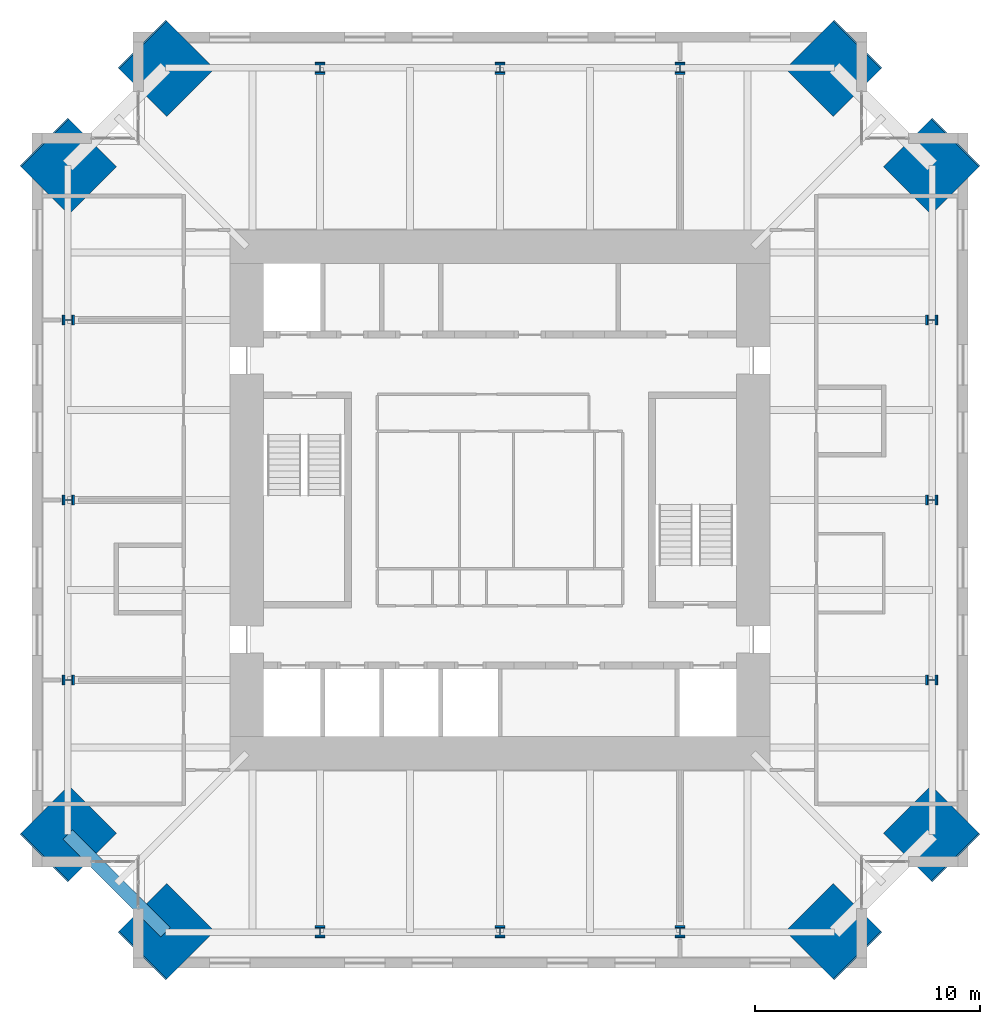
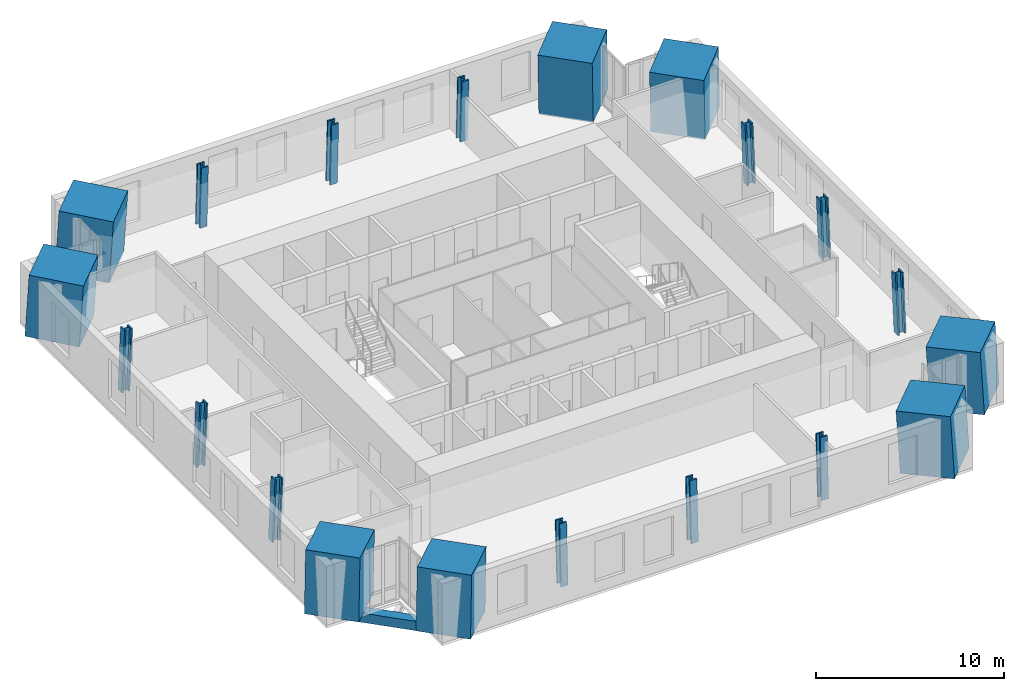
# One storey, part 1 of 15: 20 columns, 1 beam.
"""IFC4 building model written with IfcOpenShell, lengths in metres."""

from ifc_helpers import new_model, si_unit, direction, frame, origin, origin_2d, place, context, subcontext, project, spatial, rectangle, hollow_rectangle, i_section, extrude, material, material_profile, profile_set, type_object, element, save


model = new_model("IFC4")

# Units and contexts
model_context = context("Model", 3, precision=1e-05, world=origin(), true_north=direction((0.0, 1.0)))
body_context = subcontext(model_context, "Body", "Model", "MODEL_VIEW")
ifc_project = project(units=[si_unit("LENGTHUNIT", "METRE"), si_unit("AREAUNIT", "SQUARE_METRE"), si_unit("VOLUMEUNIT", "CUBIC_METRE"), si_unit("PLANEANGLEUNIT", "RADIAN"), si_unit("MASSUNIT", "GRAM", prefix="KILO")], contexts=[model_context])

# Site, building, storey
site_placement = place(None, origin())
site = spatial("IfcSite", under=ifc_project, at=site_placement, CompositionType="ELEMENT")
building_placement = place(site_placement, origin())
building = spatial("IfcBuilding", under=site, at=building_placement, Name="Peilmerk Tower", CompositionType="ELEMENT")
storey_placement = place(building_placement, frame((0.0, 0.0, 289.800048828125)))
storey = spatial("IfcBuildingStorey", under=building, at=storey_placement, Name="L65", CompositionType="ELEMENT", Elevation=289.800048828125)

# Columns
ifc_material_1 = material(Name="Concrete C90/105", Category="concrete")
ifc_material_profile_1 = material_profile(ifc_material_1, rectangle(XDim=3.0, YDim=3.0, at=origin_2d()), Name="RC 3000x3000")
ifc_profile_set_1 = profile_set([ifc_material_profile_1], Name="Concrete C90/105")
column_type_1 = type_object("IfcColumnType", Name="MC3 3000x3000 encased mega column", PredefinedType="COLUMN", material=ifc_profile_set_1)
for number, where, z_axis, x_axis, name in (
    (1, (14.861328125, 19.211181640625, 0.0), (-0.040278830354, -0.040217894151, 0.998378754189), (0.706571297296, -0.707641859868, 0.0), "Mega column MC3 NE_N L65"),
    (2, (19.211181640625, 14.861328125, 0.0), (-0.040217894151, -0.040278830354, 0.998378754189), (0.707641859868, -0.706571297296, 0.0), "Mega column MC3 NE_E L65"),
    (3, (19.211181640625, -14.861328125, 0.0), (-0.040217894151, 0.040278830354, 0.998378754189), (-0.707641859868, -0.706571297296, 0.0), "Mega column MC3 SE_E L65"),
    (4, (14.861328125, -19.211181640625, 0.0), (-0.040278830354, 0.040217894151, 0.998378754189), (-0.706571297296, -0.707641859868, 0.0), "Mega column MC3 SE_S L65"),
    (5, (-14.861328125, -19.211181640625, 0.0), (0.040278830354, 0.040217894151, 0.998378754189), (-0.706571297296, 0.707641859868, 0.0), "Mega column MC3 SW_S L65"),
    (6, (-19.211181640625, -14.861328125, 0.0), (0.040217894151, 0.040278830354, 0.998378754189), (-0.707641859868, 0.706571297296, 0.0), "Mega column MC3 SW_W L65"),
    (7, (-19.211181640625, 14.861328125, 0.0), (0.040217894151, -0.040278830354, 0.998378754189), (0.707641859868, 0.706571297296, 0.0), "Mega column MC3 NW_W L65"),
    (8, (-14.861328125, 19.211181640625, 0.0), (0.040278830354, -0.040217894151, 0.998378754189), (0.706571297296, 0.707641859868, 0.0), "Mega column MC3 NW_N L65"),
):
    element("IfcColumn", number, at=place(storey_placement, frame(where, z_axis=z_axis, x_axis=x_axis)), inside=storey, type_object=column_type_1, Name=name, PredefinedType="COLUMN", context=body_context, shape_type="SweptSolid", body=[
        extrude(rectangle(XDim=3.0, YDim=3.0, at=origin_2d()), origin(), (0.0, 0.0, 1.0), 4.006591796875),
    ])
ifc_material_2 = material(Name="Steel S460", Category="steel")
ifc_material_profile_2 = material_profile(ifc_material_2, i_section(OverallWidth=0.431884765625, OverallDepth=0.498046875, WebThickness=0.0556640625, FlangeThickness=0.0888671875, at=origin_2d()), Name="HD 400x744")
ifc_profile_set_2 = profile_set([ifc_material_profile_2], Name="Steel S460")
column_type_2 = type_object("IfcColumnType", Name="SC7 HD 400x744 perimeter column", PredefinedType="COLUMN", material=ifc_profile_set_2)
for number, where, z_axis, x_axis, name in (
    (9, (0.0, 19.211181640625, 0.0), (0.0, -0.040250558339, 0.999189617917), (1.0, 0.0, 0.0), "Perimeter column N+0 L65"),
    (10, (8.0, 19.211181640625, 0.0), (0.0, -0.040250558339, 0.999189617917), (1.0, 0.0, 0.0), "Perimeter column N-8 L65"),
    (11, (-8.0, 19.211181640625, 0.0), (0.0, -0.040250558339, 0.999189617917), (1.0, 0.0, 0.0), "Perimeter column N+8 L65"),
    (12, (19.211181640625, 0.0, 0.0), (-0.040250558339, 0.0, 0.999189617917), (0.0, -1.0, 0.0), "Perimeter column E+0 L65"),
    (13, (19.211181640625, -8.0, 0.0), (-0.040250558339, 0.0, 0.999189617917), (0.0, -1.0, 0.0), "Perimeter column E-8 L65"),
    (14, (19.211181640625, 8.0, 0.0), (-0.040250558339, 0.0, 0.999189617917), (0.0, -1.0, 0.0), "Perimeter column E+8 L65"),
    (15, (0.0, -19.211181640625, 0.0), (0.0, 0.040250558339, 0.999189617917), (-1.0, 0.0, 0.0), "Perimeter column S+0 L65"),
    (16, (-8.0, -19.211181640625, 0.0), (0.0, 0.040250558339, 0.999189617917), (-1.0, 0.0, 0.0), "Perimeter column S-8 L65"),
    (17, (8.0, -19.211181640625, 0.0), (0.0, 0.040250558339, 0.999189617917), (-1.0, 0.0, 0.0), "Perimeter column S+8 L65"),
    (18, (-19.211181640625, 0.0, 0.0), (0.040250558339, 0.0, 0.999189617917), (0.0, 1.0, 0.0), "Perimeter column W+0 L65"),
    (19, (-19.211181640625, 8.0, 0.0), (0.040250558339, 0.0, 0.999189617917), (0.0, 1.0, 0.0), "Perimeter column W-8 L65"),
    (20, (-19.211181640625, -8.0, 0.0), (0.040250558339, 0.0, 0.999189617917), (0.0, 1.0, 0.0), "Perimeter column W+8 L65"),
):
    element("IfcColumn", number, at=place(storey_placement, frame(where, z_axis=z_axis, x_axis=x_axis)), inside=storey, type_object=column_type_2, Name=name, PredefinedType="COLUMN", context=body_context, shape_type="SweptSolid", body=[
        extrude(i_section(OverallWidth=0.431884765625, OverallDepth=0.498046875, WebThickness=0.0556640625, FlangeThickness=0.0888671875, at=origin_2d()), origin(), (0.0, 0.0, 1.0), 4.003173828125),
    ])

# Beam
ifc_material_profile_3 = material_profile(ifc_material_2, hollow_rectangle(XDim=0.60009765625, YDim=0.60009765625, WallThickness=0.06005859375, at=origin_2d()), Name="BOX 600x600x60")
ifc_profile_set_3 = profile_set([ifc_material_profile_3], Name="Steel S460")
beam_type = type_object("IfcBeamType", Name="B20 BOX 600x600x60 notch beam", PredefinedType="SPANDREL", material=ifc_profile_set_3)
beam_placement = place(storey_placement, frame((-14.861328125, -19.211181640625, -0.469970703125), z_axis=(-0.707106781187, 0.707106781187, 0.0), x_axis=(-0.707106781187, -0.707106781187, 0.0)))
element("IfcBeam", 21, at=beam_placement, inside=storey, type_object=beam_type, Name="Notch beam L65", PredefinedType="SPANDREL", context=body_context, shape_type="SweptSolid", body=[
    extrude(hollow_rectangle(XDim=0.60009765625, YDim=0.60009765625, WallThickness=0.06005859375, at=origin_2d()), origin(), (0.0, 0.0, 1.0), 6.151611328125),
])

save(model, "model.ifc")
